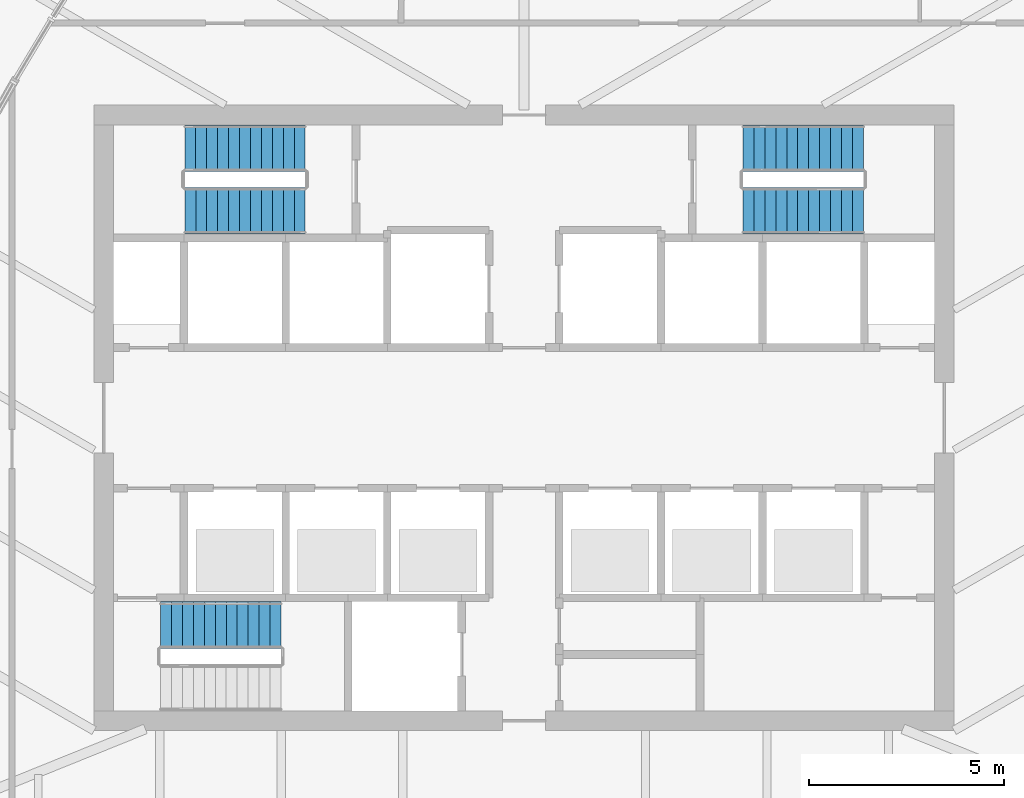
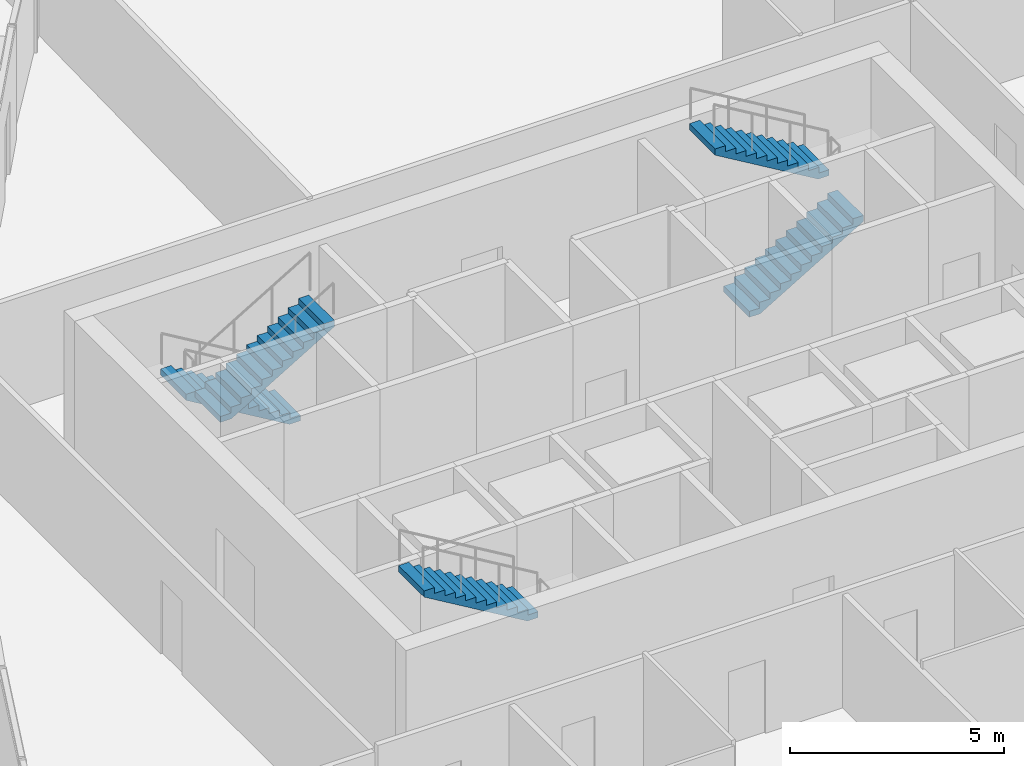
# One storey, part 12 of 18: 5 stair flights, 3 elements without a shape of their own.
"""IFC4 building model written with IfcOpenShell, lengths in metres."""

from ifc_helpers import new_model, si_unit, direction, frame, origin, place, context, subcontext, project, spatial, polyline, outline, extrude, material, type_object, element, aggregate, save


model = new_model("IFC4")

# Units and contexts
model_context = context("Model", 3, precision=1e-05, world=origin(), true_north=direction((0.0, 1.0)))
body_context = subcontext(model_context, "Body", "Model", "MODEL_VIEW")
ifc_project = project(units=[si_unit("LENGTHUNIT", "METRE"), si_unit("AREAUNIT", "SQUARE_METRE"), si_unit("VOLUMEUNIT", "CUBIC_METRE"), si_unit("PLANEANGLEUNIT", "RADIAN"), si_unit("MASSUNIT", "GRAM", prefix="KILO")], contexts=[model_context])

# Site, building, storey
site_placement = place(None, origin())
site = spatial("IfcSite", under=ifc_project, at=site_placement, CompositionType="ELEMENT")
building_placement = place(site_placement, origin())
building = spatial("IfcBuilding", under=site, at=building_placement, Name="Sierra Prisma Convention Tower", CompositionType="ELEMENT")
storey_placement = place(building_placement, frame((0.0, 0.0, 189.800048828125)))
storey = spatial("IfcBuildingStorey", under=building, at=storey_placement, Name="L42", CompositionType="ELEMENT", Elevation=189.800048828125)

# Stair, stair flight
ifc_material_1 = material(Name="Concrete C30/37", Category="concrete")
stair_type = type_object("IfcStairType", Name="Stair dog-leg 1200 RC", PredefinedType="HALF_TURN_STAIR", material=ifc_material_1)
stair_1_placement = place(storey_placement, origin())
stair_1 = element("IfcStair", 1, at=stair_1_placement, inside=storey, type_object=stair_type, Name="L42 S1", PredefinedType="HALF_TURN_STAIR")
ifc_material_2 = material(Name="Concrete C30/37", Category="concrete")
stair_flight_type = type_object("IfcStairFlightType", Name="Stair flight RC 1200", PredefinedType="STRAIGHT", material=ifc_material_2)
stair_flight_1_placement = place(storey_placement, frame((-6.219970703125, -5.300048828125, 2.0), z_axis=(0.0, 0.0, 1.0), x_axis=(-1.0, 0.0, 0.0)))
stair_flight_1 = element("IfcStairFlight", 2, at=stair_flight_1_placement, type_object=stair_flight_type, Name="S1 flight 2", NumberOfRisers=12, NumberOfTreads=11, PredefinedType="STRAIGHT", RiserHeight=0.166666667, TreadLength=0.28, context=body_context, shape_type="SweptSolid", body=[
    extrude(outline(polyline([(0.0, 0.0), (0.0, 0.166748046875), (0.280029296875, 0.166748046875), (0.280029296875, 0.333251953125), (0.56005859375, 0.333251953125), (0.56005859375, 0.5), (0.840087890625, 0.5), (0.840087890625, 0.666748046875), (1.1201171875, 0.666748046875), (1.1201171875, 0.833251953125), (1.39990234375, 0.833251953125), (1.39990234375, 1.0), (1.679931640625, 1.0), (1.679931640625, 1.166748046875), (1.9599609375, 1.166748046875), (1.9599609375, 1.333251953125), (2.239990234375, 1.333251953125), (2.239990234375, 1.5), (2.52001953125, 1.5), (2.52001953125, 1.666748046875), (2.800048828125, 1.666748046875), (2.800048828125, 1.833251953125), (3.080078125, 1.833251953125), (3.080078125, 2.0), (3.080078125, 1.658935546875), (0.29296875, 0.0), (0.0, 0.0)])), frame((0.0, 0.60009765625, 0.0), z_axis=(0.0, -1.0, 0.0), x_axis=(1.0, 0.0, 0.0)), (0.0, 0.0, 1.0), 1.199951171875),
])
aggregate(stair_1, [stair_flight_1])

# Stair, stair flights
stair_2_placement = place(storey_placement, origin())
stair_2 = element("IfcStair", 3, at=stair_2_placement, inside=storey, type_object=stair_type, Name="L42 S3", PredefinedType="HALF_TURN_STAIR")
stair_flight_2_placement = place(storey_placement, frame((-5.60009765625, 6.89990234375, 0.0), z_axis=(0.0, 0.0, 1.0), x_axis=(-1.0, 0.0, 0.0)))
stair_flight_2 = element("IfcStairFlight", 4, at=stair_flight_2_placement, type_object=stair_flight_type, Name="S3 flight 1", NumberOfRisers=12, NumberOfTreads=11, PredefinedType="STRAIGHT", RiserHeight=0.166666667, TreadLength=0.28, context=body_context, shape_type="SweptSolid", body=[
    extrude(outline(polyline([(0.0, 0.0), (0.0, 0.166748046875), (0.280029296875, 0.166748046875), (0.280029296875, 0.333251953125), (0.56005859375, 0.333251953125), (0.56005859375, 0.5), (0.840087890625, 0.5), (0.840087890625, 0.666748046875), (1.1201171875, 0.666748046875), (1.1201171875, 0.833251953125), (1.39990234375, 0.833251953125), (1.39990234375, 1.0), (1.679931640625, 1.0), (1.679931640625, 1.166748046875), (1.9599609375, 1.166748046875), (1.9599609375, 1.333251953125), (2.239990234375, 1.333251953125), (2.239990234375, 1.5), (2.52001953125, 1.5), (2.52001953125, 1.666748046875), (2.800048828125, 1.666748046875), (2.800048828125, 1.833251953125), (3.080078125, 1.833251953125), (3.080078125, 2.0), (3.080078125, 1.658935546875), (0.29296875, 0.0), (0.0, 0.0)])), frame((0.0, 0.60009765625, 0.0), z_axis=(0.0, -1.0, 0.0), x_axis=(1.0, 0.0, 0.0)), (0.0, 0.0, 1.0), 1.199951171875),
])
stair_flight_3_placement = place(storey_placement, frame((-8.679931640625, 5.300048828125, 2.0), z_axis=(0.0, 0.0, 1.0), x_axis=(1.0, 0.0, 0.0)))
stair_flight_3 = element("IfcStairFlight", 5, at=stair_flight_3_placement, type_object=stair_flight_type, Name="S3 flight 2", NumberOfRisers=12, NumberOfTreads=11, PredefinedType="STRAIGHT", RiserHeight=0.166666667, TreadLength=0.28, context=body_context, shape_type="SweptSolid", body=[
    extrude(outline(polyline([(0.0, 0.0), (0.0, 0.166748046875), (0.280029296875, 0.166748046875), (0.280029296875, 0.333251953125), (0.56005859375, 0.333251953125), (0.56005859375, 0.5), (0.840087890625, 0.5), (0.840087890625, 0.666748046875), (1.1201171875, 0.666748046875), (1.1201171875, 0.833251953125), (1.39990234375, 0.833251953125), (1.39990234375, 1.0), (1.679931640625, 1.0), (1.679931640625, 1.166748046875), (1.9599609375, 1.166748046875), (1.9599609375, 1.333251953125), (2.239990234375, 1.333251953125), (2.239990234375, 1.5), (2.52001953125, 1.5), (2.52001953125, 1.666748046875), (2.800048828125, 1.666748046875), (2.800048828125, 1.833251953125), (3.080078125, 1.833251953125), (3.080078125, 2.0), (3.080078125, 1.658935546875), (0.29296875, 0.0), (0.0, 0.0)])), frame((0.0, 0.60009765625, 0.0), z_axis=(0.0, -1.0, 0.0), x_axis=(1.0, 0.0, 0.0)), (0.0, 0.0, 1.0), 1.199951171875),
])
aggregate(stair_2, [stair_flight_2, stair_flight_3])

stair_3_placement = place(storey_placement, origin())
stair_3 = element("IfcStair", 6, at=stair_3_placement, inside=storey, type_object=stair_type, Name="L42 S4", PredefinedType="HALF_TURN_STAIR")
stair_flight_4_placement = place(storey_placement, frame((5.60009765625, 5.300048828125, 0.0), z_axis=(0.0, 0.0, 1.0), x_axis=(1.0, 0.0, 0.0)))
stair_flight_4 = element("IfcStairFlight", 7, at=stair_flight_4_placement, type_object=stair_flight_type, Name="S4 flight 1", NumberOfRisers=12, NumberOfTreads=11, PredefinedType="STRAIGHT", RiserHeight=0.166666667, TreadLength=0.28, context=body_context, shape_type="SweptSolid", body=[
    extrude(outline(polyline([(0.0, 0.0), (0.0, 0.166748046875), (0.280029296875, 0.166748046875), (0.280029296875, 0.333251953125), (0.56005859375, 0.333251953125), (0.56005859375, 0.5), (0.840087890625, 0.5), (0.840087890625, 0.666748046875), (1.1201171875, 0.666748046875), (1.1201171875, 0.833251953125), (1.39990234375, 0.833251953125), (1.39990234375, 1.0), (1.679931640625, 1.0), (1.679931640625, 1.166748046875), (1.9599609375, 1.166748046875), (1.9599609375, 1.333251953125), (2.239990234375, 1.333251953125), (2.239990234375, 1.5), (2.52001953125, 1.5), (2.52001953125, 1.666748046875), (2.800048828125, 1.666748046875), (2.800048828125, 1.833251953125), (3.080078125, 1.833251953125), (3.080078125, 2.0), (3.080078125, 1.658935546875), (0.29296875, 0.0), (0.0, 0.0)])), frame((0.0, 0.60009765625, 0.0), z_axis=(0.0, -1.0, 0.0), x_axis=(1.0, 0.0, 0.0)), (0.0, 0.0, 1.0), 1.199951171875),
])
stair_flight_5_placement = place(storey_placement, frame((8.679931640625, 6.89990234375, 2.0), z_axis=(0.0, 0.0, 1.0), x_axis=(-1.0, 0.0, 0.0)))
stair_flight_5 = element("IfcStairFlight", 8, at=stair_flight_5_placement, type_object=stair_flight_type, Name="S4 flight 2", NumberOfRisers=12, NumberOfTreads=11, PredefinedType="STRAIGHT", RiserHeight=0.166666667, TreadLength=0.28, context=body_context, shape_type="SweptSolid", body=[
    extrude(outline(polyline([(0.0, 0.0), (0.0, 0.166748046875), (0.280029296875, 0.166748046875), (0.280029296875, 0.333251953125), (0.56005859375, 0.333251953125), (0.56005859375, 0.5), (0.840087890625, 0.5), (0.840087890625, 0.666748046875), (1.1201171875, 0.666748046875), (1.1201171875, 0.833251953125), (1.39990234375, 0.833251953125), (1.39990234375, 1.0), (1.679931640625, 1.0), (1.679931640625, 1.166748046875), (1.9599609375, 1.166748046875), (1.9599609375, 1.333251953125), (2.239990234375, 1.333251953125), (2.239990234375, 1.5), (2.52001953125, 1.5), (2.52001953125, 1.666748046875), (2.800048828125, 1.666748046875), (2.800048828125, 1.833251953125), (3.080078125, 1.833251953125), (3.080078125, 2.0), (3.080078125, 1.658935546875), (0.29296875, 0.0), (0.0, 0.0)])), frame((0.0, 0.60009765625, 0.0), z_axis=(0.0, -1.0, 0.0), x_axis=(1.0, 0.0, 0.0)), (0.0, 0.0, 1.0), 1.199951171875),
])
aggregate(stair_3, [stair_flight_4, stair_flight_5])

save(model, "model.ifc")
